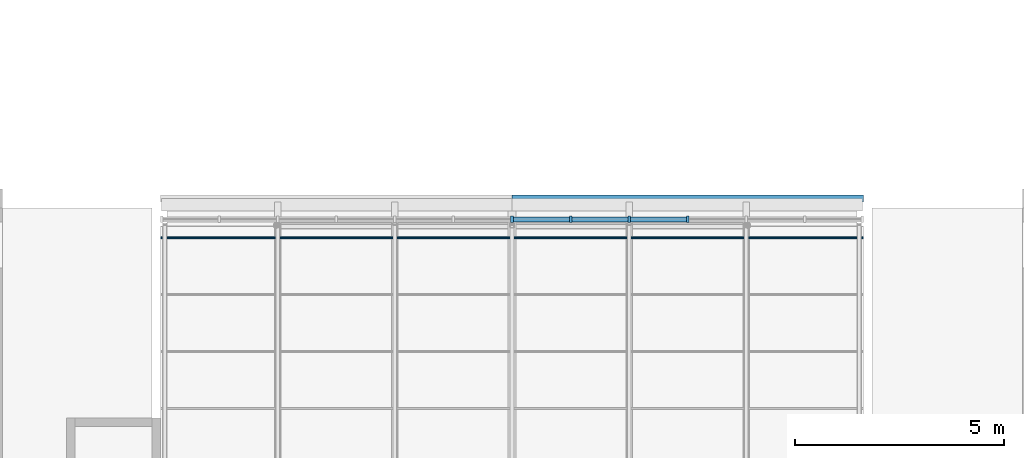
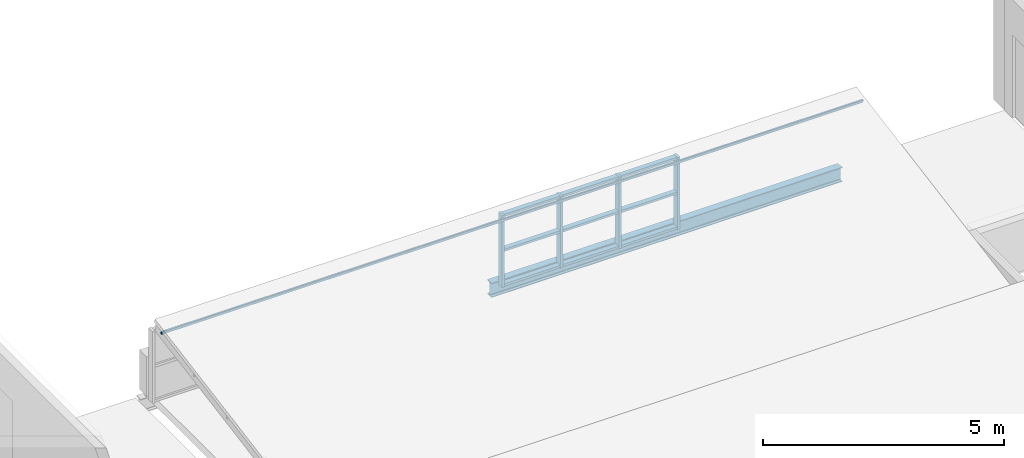
# One storey, part 15 of 42: 14 members, 1 beam, 1 element without a shape of its own.
"""IFC4 building model written with IfcOpenShell, lengths in metres."""

from ifc_helpers import new_model, si_unit, direction, frame, origin, origin_2d, place, context, subcontext, project, spatial, rectangle, hollow_rectangle, i_section, extrude, material, layer, layer_set, material_profile, profile_set, type_object, element, aggregate, save


model = new_model("IFC4")

# Units and contexts
model_context = context("Model", 3, precision=1e-05, world=origin(), true_north=direction((0.0, 1.0)))
body_context = subcontext(model_context, "Body", "Model", "MODEL_VIEW")
ifc_project = project(units=[si_unit("LENGTHUNIT", "METRE"), si_unit("AREAUNIT", "SQUARE_METRE"), si_unit("VOLUMEUNIT", "CUBIC_METRE"), si_unit("PLANEANGLEUNIT", "RADIAN"), si_unit("MASSUNIT", "GRAM", prefix="KILO")], contexts=[model_context])

# Site, building, storey
site_placement = place(None, origin())
site = spatial("IfcSite", under=ifc_project, at=site_placement, CompositionType="ELEMENT")
building_placement = place(site_placement, origin())
building = spatial("IfcBuilding", under=site, at=building_placement, Name="Ardhachandra Cancer Care Centre", CompositionType="ELEMENT")
storey_placement = place(building_placement, frame((0.0, 0.0, 22.5)))
storey = spatial("IfcBuildingStorey", under=building, at=storey_placement, Name="L05", CompositionType="ELEMENT", Elevation=22.5)

# Beam
ifc_material_1 = material(Name="Steel E350 (IS 2062)", Category="steel")
ifc_material_profile_1 = material_profile(ifc_material_1, i_section(OverallWidth=0.172119140625, OverallDepth=0.364013671875, WebThickness=0.00927734375, FlangeThickness=0.0146484375, FilletRadius=0.01806640625, at=origin_2d()), Name="NPB 350x170x66.04")
ifc_profile_set_1 = profile_set([ifc_material_profile_1], Name="Steel E350 (IS 2062)")
beam_type = type_object("IfcBeamType", Name="Beam NPB 350x170x66.04", PredefinedType="BEAM", material=ifc_profile_set_1)
beam_placement = place(storey_placement, frame((27.60009765625, 96.60009765625, -0.382080078125), z_axis=(1.0, 0.0, 0.0), x_axis=(0.0, 1.0, 0.0)))
element("IfcBeam", 1, at=beam_placement, inside=storey, type_object=beam_type, Name="Edge girder L3-L4", PredefinedType="BEAM", context=body_context, shape_type="SweptSolid", body=[
    extrude(i_section(OverallWidth=0.172119140625, OverallDepth=0.364013671875, WebThickness=0.00927734375, FlangeThickness=0.0146484375, FilletRadius=0.01806640625, at=origin_2d()), origin(), (0.0, 0.0, 1.0), 8.39990234375),
])

# Curtain wall, members
ifc_material_2 = material(Name="Aluminium extrusion", Category="aluminium")
ifc_layer = layer(ifc_material_2, 0.14990234375)
ifc_layer_set = layer_set([ifc_layer], Name="Aluminium extrusion")
curtain_wall_type = type_object("IfcCurtainWallType", Name="Curtain wall run", PredefinedType="NOTDEFINED", material=ifc_layer_set)
curtain_wall_placement = place(storey_placement, origin())
curtain_wall = element("IfcCurtainWall", 2, at=curtain_wall_placement, inside=storey, type_object=curtain_wall_type, Name="Curtain wall L05 n/0019200_0096100", PredefinedType="NOTDEFINED")
ifc_material_3 = material(Name="Aluminium extrusion", Category="aluminium")
ifc_material_profile_2 = material_profile(ifc_material_3, rectangle(XDim=0.159912109375, YDim=0.06005859375, at=origin_2d()), Name="Curtain wall mullion 60 x 160")
ifc_profile_set_2 = profile_set([ifc_material_profile_2], Name="Aluminium extrusion")
member_type_1 = type_object("IfcMemberType", Name="Curtain wall mullion 60 x 160", PredefinedType="MULLION", material=ifc_profile_set_2)
member_1_placement = place(storey_placement, frame((27.60009765625, 96.10009765625, 0.0), z_axis=(0.0, 0.0, 1.0), x_axis=(0.0, 1.0, 0.0)))
member_1 = element("IfcMember", 3, at=member_1_placement, type_object=member_type_1, Name="CW mullion 7", PredefinedType="MULLION", context=body_context, shape_type="SweptSolid", body=[
    extrude(rectangle(XDim=0.159912109375, YDim=0.06005859375, at=origin_2d()), origin(), (0.0, 0.0, 1.0), 1.820068359375),
])
member_2_placement = place(storey_placement, frame((29.0, 96.10009765625, 0.0), z_axis=(0.0, 0.0, 1.0), x_axis=(0.0, 1.0, 0.0)))
member_2 = element("IfcMember", 4, at=member_2_placement, type_object=member_type_1, Name="CW mullion 8", PredefinedType="MULLION", context=body_context, shape_type="SweptSolid", body=[
    extrude(rectangle(XDim=0.159912109375, YDim=0.06005859375, at=origin_2d()), origin(), (0.0, 0.0, 1.0), 1.820068359375),
])
member_3_placement = place(storey_placement, frame((30.39990234375, 96.10009765625, 0.0), z_axis=(0.0, 0.0, 1.0), x_axis=(0.0, 1.0, 0.0)))
member_3 = element("IfcMember", 5, at=member_3_placement, type_object=member_type_1, Name="CW mullion 9", PredefinedType="MULLION", context=body_context, shape_type="SweptSolid", body=[
    extrude(rectangle(XDim=0.159912109375, YDim=0.06005859375, at=origin_2d()), origin(), (0.0, 0.0, 1.0), 1.820068359375),
])
member_4_placement = place(storey_placement, frame((31.800048828125, 96.10009765625, 0.0), z_axis=(0.0, 0.0, 1.0), x_axis=(0.0, 1.0, 0.0)))
member_4 = element("IfcMember", 6, at=member_4_placement, type_object=member_type_1, Name="CW mullion 10", PredefinedType="MULLION", context=body_context, shape_type="SweptSolid", body=[
    extrude(rectangle(XDim=0.159912109375, YDim=0.06005859375, at=origin_2d()), origin(), (0.0, 0.0, 1.0), 1.820068359375),
])
ifc_material_4 = material(Name="Aluminium extrusion", Category="aluminium")
ifc_material_profile_3 = material_profile(ifc_material_4, rectangle(XDim=0.1201171875, YDim=0.06005859375, at=origin_2d()), Name="Curtain wall transom 60 x 120")
ifc_profile_set_3 = profile_set([ifc_material_profile_3], Name="Aluminium extrusion")
member_type_2 = type_object("IfcMemberType", Name="Curtain wall transom 60 x 120", PredefinedType="USERDEFINED", material=ifc_profile_set_3)
member_5_placement = place(storey_placement, frame((27.6298828125, 96.10009765625, 0.030029296875), z_axis=(1.0, 0.0, 0.0), x_axis=(0.0, 1.0, 0.0)))
member_5 = element("IfcMember", 7, at=member_5_placement, type_object=member_type_2, Name="CW transom 7.1", ObjectType="TRANSOM", PredefinedType="USERDEFINED", context=body_context, shape_type="SweptSolid", body=[
    extrude(rectangle(XDim=0.1201171875, YDim=0.06005859375, at=origin_2d()), origin(), (0.0, 0.0, 1.0), 1.340087890625),
])
member_6_placement = place(storey_placement, frame((27.6298828125, 96.10009765625, 0.909912109375), z_axis=(1.0, 0.0, 0.0), x_axis=(0.0, 1.0, 0.0)))
member_6 = element("IfcMember", 8, at=member_6_placement, type_object=member_type_2, Name="CW transom 7.2", ObjectType="TRANSOM", PredefinedType="USERDEFINED", context=body_context, shape_type="SweptSolid", body=[
    extrude(rectangle(XDim=0.1201171875, YDim=0.06005859375, at=origin_2d()), origin(), (0.0, 0.0, 1.0), 1.340087890625),
])
member_7_placement = place(storey_placement, frame((27.6298828125, 96.10009765625, 1.7900390625), z_axis=(1.0, 0.0, 0.0), x_axis=(0.0, 1.0, 0.0)))
member_7 = element("IfcMember", 9, at=member_7_placement, type_object=member_type_2, Name="CW transom 7.3", ObjectType="TRANSOM", PredefinedType="USERDEFINED", context=body_context, shape_type="SweptSolid", body=[
    extrude(rectangle(XDim=0.1201171875, YDim=0.06005859375, at=origin_2d()), origin(), (0.0, 0.0, 1.0), 1.340087890625),
])
member_8_placement = place(storey_placement, frame((29.030029296875, 96.10009765625, 0.030029296875), z_axis=(1.0, 0.0, 0.0), x_axis=(0.0, 1.0, 0.0)))
member_8 = element("IfcMember", 10, at=member_8_placement, type_object=member_type_2, Name="CW transom 8.1", ObjectType="TRANSOM", PredefinedType="USERDEFINED", context=body_context, shape_type="SweptSolid", body=[
    extrude(rectangle(XDim=0.1201171875, YDim=0.06005859375, at=origin_2d()), origin(), (0.0, 0.0, 1.0), 1.340087890625),
])
member_9_placement = place(storey_placement, frame((29.030029296875, 96.10009765625, 0.909912109375), z_axis=(1.0, 0.0, 0.0), x_axis=(0.0, 1.0, 0.0)))
member_9 = element("IfcMember", 11, at=member_9_placement, type_object=member_type_2, Name="CW transom 8.2", ObjectType="TRANSOM", PredefinedType="USERDEFINED", context=body_context, shape_type="SweptSolid", body=[
    extrude(rectangle(XDim=0.1201171875, YDim=0.06005859375, at=origin_2d()), origin(), (0.0, 0.0, 1.0), 1.340087890625),
])
member_10_placement = place(storey_placement, frame((29.030029296875, 96.10009765625, 1.7900390625), z_axis=(1.0, 0.0, 0.0), x_axis=(0.0, 1.0, 0.0)))
member_10 = element("IfcMember", 12, at=member_10_placement, type_object=member_type_2, Name="CW transom 8.3", ObjectType="TRANSOM", PredefinedType="USERDEFINED", context=body_context, shape_type="SweptSolid", body=[
    extrude(rectangle(XDim=0.1201171875, YDim=0.06005859375, at=origin_2d()), origin(), (0.0, 0.0, 1.0), 1.340087890625),
])
member_11_placement = place(storey_placement, frame((30.429931640625, 96.10009765625, 0.030029296875), z_axis=(1.0, 0.0, 0.0), x_axis=(0.0, 1.0, 0.0)))
member_11 = element("IfcMember", 13, at=member_11_placement, type_object=member_type_2, Name="CW transom 9.1", ObjectType="TRANSOM", PredefinedType="USERDEFINED", context=body_context, shape_type="SweptSolid", body=[
    extrude(rectangle(XDim=0.1201171875, YDim=0.06005859375, at=origin_2d()), origin(), (0.0, 0.0, 1.0), 1.340087890625),
])
member_12_placement = place(storey_placement, frame((30.429931640625, 96.10009765625, 0.909912109375), z_axis=(1.0, 0.0, 0.0), x_axis=(0.0, 1.0, 0.0)))
member_12 = element("IfcMember", 14, at=member_12_placement, type_object=member_type_2, Name="CW transom 9.2", ObjectType="TRANSOM", PredefinedType="USERDEFINED", context=body_context, shape_type="SweptSolid", body=[
    extrude(rectangle(XDim=0.1201171875, YDim=0.06005859375, at=origin_2d()), origin(), (0.0, 0.0, 1.0), 1.340087890625),
])
member_13_placement = place(storey_placement, frame((30.429931640625, 96.10009765625, 1.7900390625), z_axis=(1.0, 0.0, 0.0), x_axis=(0.0, 1.0, 0.0)))
member_13 = element("IfcMember", 15, at=member_13_placement, type_object=member_type_2, Name="CW transom 9.3", ObjectType="TRANSOM", PredefinedType="USERDEFINED", context=body_context, shape_type="SweptSolid", body=[
    extrude(rectangle(XDim=0.1201171875, YDim=0.06005859375, at=origin_2d()), origin(), (0.0, 0.0, 1.0), 1.340087890625),
])
aggregate(curtain_wall, [member_1, member_2, member_3, member_4, member_5, member_6, member_7, member_8, member_9, member_10, member_11, member_12, member_13])

# Member
ifc_material_5 = material(Name="Steel E350 (IS 2062)", Category="steel")
ifc_material_profile_4 = material_profile(ifc_material_5, hollow_rectangle(XDim=0.0400390625, YDim=0.080078125, WallThickness=0.00390625, InnerFilletRadius=0.00390625, OuterFilletRadius=0.008056640625, at=origin_2d()), Name="RHS 80x40x4.0")
ifc_profile_set_4 = profile_set([ifc_material_profile_4], Name="Steel E350 (IS 2062)")
member_type_3 = type_object("IfcMemberType", Name="Roof purlin RHS 80x40x4.0", PredefinedType="PURLIN", material=ifc_profile_set_4)
member_14_placement = place(storey_placement, frame((19.199951171875, 95.661865234375, 2.00341796875), z_axis=(1.0, 0.0, 0.0), x_axis=(0.0, 0.984460447526, 0.175606455623)))
element("IfcMember", 16, at=member_14_placement, inside=storey, type_object=member_type_3, Name="Purlin NT3a.6", PredefinedType="PURLIN", context=body_context, shape_type="SweptSolid", body=[
    extrude(hollow_rectangle(XDim=0.0400390625, YDim=0.080078125, WallThickness=0.00390625, InnerFilletRadius=0.00390625, OuterFilletRadius=0.008056640625, at=origin_2d()), origin(), (0.0, 0.0, 1.0), 16.800048828125),
])

save(model, "model.ifc")
